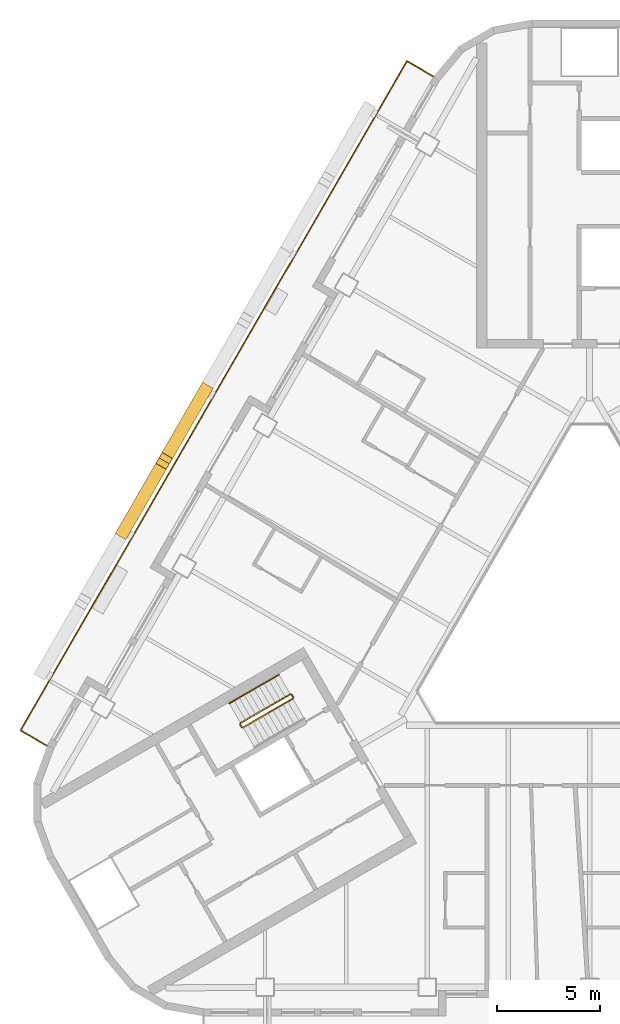
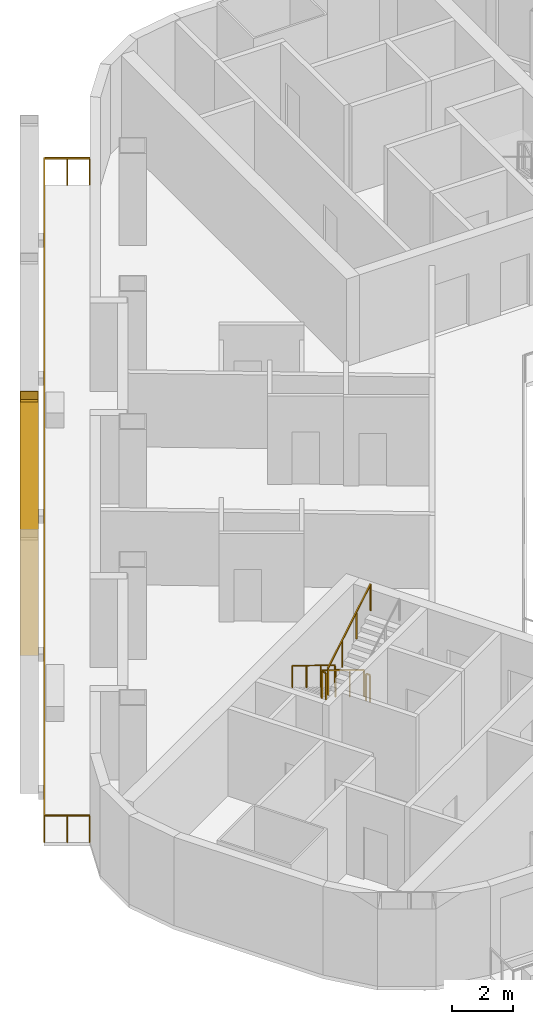
# One storey, part 9 of 13: 6 railings, 2 shading devices.
"""IFC4 building model written with IfcOpenShell, lengths in metres."""

from ifc_helpers import new_model, si_unit, direction, frame, origin, origin_2d, place, context, subcontext, project, spatial, rectangle, hollow_rectangle, circle, extrude, material, material_profile, profile_set, type_object, element, save


model = new_model("IFC4")

# Units and contexts
model_context = context("Model", 3, precision=1e-05, world=origin(), true_north=direction((0.0, 1.0)))
body_context = subcontext(model_context, "Body", "Model", "MODEL_VIEW")
ifc_project = project(units=[si_unit("LENGTHUNIT", "METRE"), si_unit("AREAUNIT", "SQUARE_METRE"), si_unit("VOLUMEUNIT", "CUBIC_METRE"), si_unit("PLANEANGLEUNIT", "RADIAN"), si_unit("MASSUNIT", "GRAM", prefix="KILO")], contexts=[model_context])

# Site, building, storey
site_placement = place(None, origin())
site = spatial("IfcSite", under=ifc_project, at=site_placement, CompositionType="ELEMENT")
building_placement = place(site_placement, origin())
building = spatial("IfcBuilding", under=site, at=building_placement, Name="Apuvela Tower Hotel", CompositionType="ELEMENT")
storey_placement = place(building_placement, frame((0.0, 0.0, 105.699951171875)))
storey = spatial("IfcBuildingStorey", under=building, at=storey_placement, Name="L24", CompositionType="ELEMENT", Elevation=105.699951171875)

# Railings
ifc_material_1 = material(Name="Steel S275 balustrade", Category="steel")
railing_type_1 = type_object("IfcRailingType", Name="COR-GUARD-1100", PredefinedType="GUARDRAIL", material=ifc_material_1)
railing_1_placement = place(storey_placement, frame((-14.569091796875, -3.9658203125, 0.168212890625)))
element("IfcRailing", 1, at=railing_1_placement, inside=storey, type_object=railing_type_1, Name="L24 ST2 stair guard 1", PredefinedType="GUARDRAIL", context=body_context, shape_type="SweptSolid", body=[
    extrude(rectangle(XDim=0.048095703125, YDim=0.048095703125, at=origin_2d()), frame((0.0, 0.0, 1.076171875), z_axis=(-0.742390482028, -0.42860119049, 0.514934356695), x_axis=(0.49998411664, -0.866034573852, 0.0)), (0.0, 0.0, 1.0), 3.26611328125),
    extrude(rectangle(XDim=0.0419921875, YDim=0.0419921875, at=origin_2d()), origin(), (0.0, 0.0, 1.0), 1.052001953125),
    extrude(rectangle(XDim=0.0419921875, YDim=0.0419921875, at=origin_2d()), frame((-0.808349609375, -0.466552734375, 0.560546875)), (0.0, 0.0, 1.0), 1.052001953125),
    extrude(rectangle(XDim=0.0419921875, YDim=0.0419921875, at=origin_2d()), frame((-1.616455078125, -0.933349609375, 1.121337890625)), (0.0, 0.0, 1.0), 1.052001953125),
    extrude(rectangle(XDim=0.0419921875, YDim=0.0419921875, at=origin_2d()), frame((-2.4248046875, -1.39990234375, 1.681884765625)), (0.0, 0.0, 1.0), 1.052001953125),
])
railing_2_placement = place(storey_placement, frame((-17.01220703125, -5.43408203125, 1.85009765625)))
element("IfcRailing", 2, at=railing_2_placement, inside=storey, type_object=railing_type_1, Name="L24 ST2 stair guard 2", PredefinedType="GUARDRAIL", context=body_context, shape_type="SweptSolid", body=[
    extrude(rectangle(XDim=0.048095703125, YDim=0.048095703125, at=origin_2d()), frame((0.0, 0.0, 1.076171875), z_axis=(0.499816412211, -0.866131372301, 0.0), x_axis=(0.866131372301, 0.499816412211, 0.0)), (0.0, 0.0, 1.0), 0.14990234375),
    extrude(rectangle(XDim=0.0419921875, YDim=0.0419921875, at=origin_2d()), origin(), (0.0, 0.0, 1.0), 1.052001953125),
    extrude(rectangle(XDim=0.0419921875, YDim=0.0419921875, at=origin_2d()), frame((0.074951171875, -0.1298828125, 0.0)), (0.0, 0.0, 1.0), 1.052001953125),
])
railing_3_placement = place(storey_placement, frame((-16.868896484375, -5.582275390625, 2.018310546875)))
element("IfcRailing", 3, at=railing_3_placement, inside=storey, type_object=railing_type_1, Name="L24 ST2 stair guard 3", PredefinedType="GUARDRAIL", context=body_context, shape_type="SweptSolid", body=[
    extrude(rectangle(XDim=0.048095703125, YDim=0.048095703125, at=origin_2d()), frame((0.0, 0.0, 1.076171875), z_axis=(0.74241905619, 0.428617687091, 0.514879426), x_axis=(-0.49998411664, 0.866034573852, 0.0)), (0.0, 0.0, 1.0), 3.26611328125),
    extrude(rectangle(XDim=0.0419921875, YDim=0.0419921875, at=origin_2d()), origin(), (0.0, 0.0, 1.0), 1.052001953125),
    extrude(rectangle(XDim=0.0419921875, YDim=0.0419921875, at=origin_2d()), frame((0.808349609375, 0.466552734375, 0.560546875)), (0.0, 0.0, 1.0), 1.052001953125),
    extrude(rectangle(XDim=0.0419921875, YDim=0.0419921875, at=origin_2d()), frame((1.616455078125, 0.933349609375, 1.12109375)), (0.0, 0.0, 1.0), 1.052001953125),
    extrude(rectangle(XDim=0.0419921875, YDim=0.0419921875, at=origin_2d()), frame((2.4248046875, 1.39990234375, 1.681640625)), (0.0, 0.0, 1.0), 1.052001953125),
])
railing_4_placement = place(storey_placement, frame((-14.500732421875, -3.984130859375, 0.0)))
element("IfcRailing", 4, at=railing_4_placement, inside=storey, type_object=railing_type_1, Name="L24 ST2 stair guard 4", PredefinedType="GUARDRAIL", context=body_context, shape_type="SweptSolid", body=[
    extrude(rectangle(XDim=0.048095703125, YDim=0.048095703125, at=origin_2d()), frame((0.0, 0.0, 1.076171875), z_axis=(0.499816412211, -0.866131372301, 0.0), x_axis=(0.866131372301, 0.499816412211, 0.0)), (0.0, 0.0, 1.0), 0.14990234375),
    extrude(rectangle(XDim=0.0419921875, YDim=0.0419921875, at=origin_2d()), origin(), (0.0, 0.0, 1.0), 1.052001953125),
    extrude(rectangle(XDim=0.0419921875, YDim=0.0419921875, at=origin_2d()), frame((0.074951171875, -0.1298828125, 0.0)), (0.0, 0.0, 1.0), 1.052001953125),
])
ifc_material_2 = material(Name="Stainless steel 316 handrail", Category="steel")
railing_type_2 = type_object("IfcRailingType", Name="COR-HANDRAIL-900", PredefinedType="HANDRAIL", material=ifc_material_2)
railing_5_placement = place(storey_placement, frame((-15.118896484375, -3.01318359375, 0.168212890625)))
element("IfcRailing", 5, at=railing_5_placement, inside=storey, type_object=railing_type_2, Name="L24 ST2 stair handrail 1", PredefinedType="HANDRAIL", context=body_context, shape_type="SweptSolid", body=[
    extrude(circle(Radius=0.02392578125, at=origin_2d()), frame((0.0, 0.0, 0.8759765625), z_axis=(-0.742424030051, -0.428577407461, 0.514905783049), x_axis=(0.49994636267, -0.866056369097, 0.0)), (0.0, 0.0, 1.0), 3.266357421875),
    extrude(rectangle(XDim=0.0419921875, YDim=0.0419921875, at=origin_2d()), origin(), (0.0, 0.0, 1.0), 0.851806640625),
    extrude(rectangle(XDim=0.0419921875, YDim=0.0419921875, at=origin_2d()), frame((-0.808349609375, -0.466552734375, 0.560546875)), (0.0, 0.0, 1.0), 0.851806640625),
    extrude(rectangle(XDim=0.0419921875, YDim=0.0419921875, at=origin_2d()), frame((-1.61669921875, -0.933349609375, 1.121337890625)), (0.0, 0.0, 1.0), 0.851806640625),
    extrude(rectangle(XDim=0.0419921875, YDim=0.0419921875, at=origin_2d()), frame((-2.425048828125, -1.39990234375, 1.681884765625)), (0.0, 0.0, 1.0), 0.851806640625),
])

# Shading devices
ifc_material_3 = material(Name="Aluminium 6063-T6, black anodised", Category="aluminium")
ifc_material_profile = material_profile(ifc_material_3, hollow_rectangle(XDim=0.60009765625, YDim=0.699951171875, WallThickness=0.011962890625, at=origin_2d()), Name="AL BOX 700x600x12")
ifc_profile_set = profile_set([ifc_material_profile], Name="Aluminium 6063-T6, black anodised")
shading_device_type = type_object("IfcShadingDeviceType", Name="ENV-FIN-700x600", PredefinedType="USERDEFINED", material=ifc_profile_set)
shading_device_1_placement = place(storey_placement, frame((-18.732177734375, 10.81494140625, -0.099853515625), z_axis=(-0.235436388043, -0.407800622186, 0.882195193667), x_axis=(0.866032218625, -0.499988196164, 0.0)))
element("IfcShadingDevice", 6, at=shading_device_1_placement, inside=storey, type_object=shading_device_type, Name="Lattice fin NW261", ObjectType="FIN", PredefinedType="USERDEFINED", context=body_context, shape_type="SweptSolid", body=[
    extrude(hollow_rectangle(XDim=0.60009765625, YDim=0.699951171875, WallThickness=0.011962890625, at=origin_2d()), origin(), (0.0, 0.0, 1.0), 8.387939453125),
])
shading_device_2_placement = place(storey_placement, frame((-22.68212890625, 3.973388671875, -0.099853515625), z_axis=(0.235461085354, 0.407822092458, 0.882178677019), x_axis=(-0.866020906874, 0.500007788796, 0.0)))
element("IfcShadingDevice", 7, at=shading_device_2_placement, inside=storey, type_object=shading_device_type, Name="Lattice fin NW262", ObjectType="FIN", PredefinedType="USERDEFINED", context=body_context, shape_type="SweptSolid", body=[
    extrude(hollow_rectangle(XDim=0.60009765625, YDim=0.699951171875, WallThickness=0.011962890625, at=origin_2d()), origin(), (0.0, 0.0, 1.0), 8.38818359375),
])

# Railing
ifc_material_4 = material(Name="Stainless steel 316 rail with laminated glass infill", Category="steel")
railing_type_3 = type_object("IfcRailingType", Name="ENV-GUARD-1100", PredefinedType="GUARDRAIL", material=ifc_material_4)
railing_6_placement = place(storey_placement, frame((-7.59228515625, 26.110107421875, 0.0)))
element("IfcRailing", 8, at=railing_6_placement, inside=storey, type_object=railing_type_3, Name="Balcony guard NW L24", PredefinedType="GUARDRAIL", context=body_context, shape_type="SweptSolid", body=[
    extrude(rectangle(XDim=0.050048828125, YDim=0.050048828125, at=origin_2d()), frame((0.0, 0.0, 1.0751953125), z_axis=(-0.86599040064, 0.500060622324, 0.0), x_axis=(-0.500060622324, -0.86599040064, 0.0)), (0.0, 0.0, 1.0), 1.499755859375),
    extrude(rectangle(XDim=0.050048828125, YDim=0.050048828125, at=origin_2d()), frame((-1.298828125, 0.75, 1.0751953125), z_axis=(-0.500000437506, -0.86602515119, 0.0), x_axis=(0.86602515119, -0.500000437506, 0.0)), (0.0, 0.0, 1.0), 37.6318359375),
    extrude(rectangle(XDim=0.050048828125, YDim=0.050048828125, at=origin_2d()), frame((-20.11474609375, -31.840087890625, 1.0751953125), z_axis=(0.866031096941, -0.499990139034, 0.0), x_axis=(0.499990139034, 0.866031096941, 0.0)), (0.0, 0.0, 1.0), 1.5),
    extrude(rectangle(XDim=0.0400390625, YDim=0.0400390625, at=origin_2d()), origin(), (0.0, 0.0, 1.0), 1.050048828125),
    extrude(rectangle(XDim=0.0400390625, YDim=0.0400390625, at=origin_2d()), frame((-0.6494140625, 0.375, 0.0)), (0.0, 0.0, 1.0), 1.050048828125),
    extrude(rectangle(XDim=0.0400390625, YDim=0.0400390625, at=origin_2d()), frame((-1.298828125, 0.75, 0.0)), (0.0, 0.0, 1.0), 1.050048828125),
    extrude(rectangle(XDim=0.0400390625, YDim=0.0400390625, at=origin_2d()), frame((-1.88671875, -0.2685546875, 0.0)), (0.0, 0.0, 1.0), 1.050048828125),
    extrude(rectangle(XDim=0.0400390625, YDim=0.0400390625, at=origin_2d()), frame((-2.474853515625, -1.286865234375, 0.0)), (0.0, 0.0, 1.0), 1.050048828125),
    extrude(rectangle(XDim=0.0400390625, YDim=0.0400390625, at=origin_2d()), frame((-3.062744140625, -2.305419921875, 0.0)), (0.0, 0.0, 1.0), 1.050048828125),
    extrude(rectangle(XDim=0.0400390625, YDim=0.0400390625, at=origin_2d()), frame((-3.65087890625, -3.32373046875, 0.0)), (0.0, 0.0, 1.0), 1.050048828125),
    extrude(rectangle(XDim=0.0400390625, YDim=0.0400390625, at=origin_2d()), frame((-4.23876953125, -4.34228515625, 0.0)), (0.0, 0.0, 1.0), 1.050048828125),
    extrude(rectangle(XDim=0.0400390625, YDim=0.0400390625, at=origin_2d()), frame((-4.826904296875, -5.360595703125, 0.0)), (0.0, 0.0, 1.0), 1.050048828125),
    extrude(rectangle(XDim=0.0400390625, YDim=0.0400390625, at=origin_2d()), frame((-5.414794921875, -6.379150390625, 0.0)), (0.0, 0.0, 1.0), 1.050048828125),
    extrude(rectangle(XDim=0.0400390625, YDim=0.0400390625, at=origin_2d()), frame((-6.0029296875, -7.3974609375, 0.0)), (0.0, 0.0, 1.0), 1.050048828125),
    extrude(rectangle(XDim=0.0400390625, YDim=0.0400390625, at=origin_2d()), frame((-6.5908203125, -8.416015625, 0.0)), (0.0, 0.0, 1.0), 1.050048828125),
    extrude(rectangle(XDim=0.0400390625, YDim=0.0400390625, at=origin_2d()), frame((-7.1787109375, -9.434326171875, 0.0)), (0.0, 0.0, 1.0), 1.050048828125),
    extrude(rectangle(XDim=0.0400390625, YDim=0.0400390625, at=origin_2d()), frame((-7.766845703125, -10.452880859375, 0.0)), (0.0, 0.0, 1.0), 1.050048828125),
    extrude(rectangle(XDim=0.0400390625, YDim=0.0400390625, at=origin_2d()), frame((-8.354736328125, -11.47119140625, 0.0)), (0.0, 0.0, 1.0), 1.050048828125),
    extrude(rectangle(XDim=0.0400390625, YDim=0.0400390625, at=origin_2d()), frame((-8.94287109375, -12.48974609375, 0.0)), (0.0, 0.0, 1.0), 1.050048828125),
    extrude(rectangle(XDim=0.0400390625, YDim=0.0400390625, at=origin_2d()), frame((-9.53076171875, -13.508056640625, 0.0)), (0.0, 0.0, 1.0), 1.050048828125),
    extrude(rectangle(XDim=0.0400390625, YDim=0.0400390625, at=origin_2d()), frame((-10.118896484375, -14.526611328125, 0.0)), (0.0, 0.0, 1.0), 1.050048828125),
    extrude(rectangle(XDim=0.0400390625, YDim=0.0400390625, at=origin_2d()), frame((-10.706787109375, -15.544921875, 0.0)), (0.0, 0.0, 1.0), 1.050048828125),
    extrude(rectangle(XDim=0.0400390625, YDim=0.0400390625, at=origin_2d()), frame((-11.294677734375, -16.5634765625, 0.0)), (0.0, 0.0, 1.0), 1.050048828125),
    extrude(rectangle(XDim=0.0400390625, YDim=0.0400390625, at=origin_2d()), frame((-11.8828125, -17.58203125, 0.0)), (0.0, 0.0, 1.0), 1.050048828125),
    extrude(rectangle(XDim=0.0400390625, YDim=0.0400390625, at=origin_2d()), frame((-12.470703125, -18.600341796875, 0.0)), (0.0, 0.0, 1.0), 1.050048828125),
    extrude(rectangle(XDim=0.0400390625, YDim=0.0400390625, at=origin_2d()), frame((-13.058837890625, -19.618896484375, 0.0)), (0.0, 0.0, 1.0), 1.050048828125),
    extrude(rectangle(XDim=0.0400390625, YDim=0.0400390625, at=origin_2d()), frame((-13.646728515625, -20.63720703125, 0.0)), (0.0, 0.0, 1.0), 1.050048828125),
    extrude(rectangle(XDim=0.0400390625, YDim=0.0400390625, at=origin_2d()), frame((-14.23486328125, -21.65576171875, 0.0)), (0.0, 0.0, 1.0), 1.050048828125),
    extrude(rectangle(XDim=0.0400390625, YDim=0.0400390625, at=origin_2d()), frame((-14.82275390625, -22.674072265625, 0.0)), (0.0, 0.0, 1.0), 1.050048828125),
    extrude(rectangle(XDim=0.0400390625, YDim=0.0400390625, at=origin_2d()), frame((-15.41064453125, -23.692626953125, 0.0)), (0.0, 0.0, 1.0), 1.050048828125),
    extrude(rectangle(XDim=0.0400390625, YDim=0.0400390625, at=origin_2d()), frame((-15.998779296875, -24.7109375, 0.0)), (0.0, 0.0, 1.0), 1.050048828125),
    extrude(rectangle(XDim=0.0400390625, YDim=0.0400390625, at=origin_2d()), frame((-16.586669921875, -25.7294921875, 0.0)), (0.0, 0.0, 1.0), 1.050048828125),
    extrude(rectangle(XDim=0.0400390625, YDim=0.0400390625, at=origin_2d()), frame((-17.1748046875, -26.747802734375, 0.0)), (0.0, 0.0, 1.0), 1.050048828125),
    extrude(rectangle(XDim=0.0400390625, YDim=0.0400390625, at=origin_2d()), frame((-17.7626953125, -27.766357421875, 0.0)), (0.0, 0.0, 1.0), 1.050048828125),
    extrude(rectangle(XDim=0.0400390625, YDim=0.0400390625, at=origin_2d()), frame((-18.350830078125, -28.78466796875, 0.0)), (0.0, 0.0, 1.0), 1.050048828125),
    extrude(rectangle(XDim=0.0400390625, YDim=0.0400390625, at=origin_2d()), frame((-18.938720703125, -29.80322265625, 0.0)), (0.0, 0.0, 1.0), 1.050048828125),
    extrude(rectangle(XDim=0.0400390625, YDim=0.0400390625, at=origin_2d()), frame((-19.52685546875, -30.821533203125, 0.0)), (0.0, 0.0, 1.0), 1.050048828125),
    extrude(rectangle(XDim=0.0400390625, YDim=0.0400390625, at=origin_2d()), frame((-20.11474609375, -31.840087890625, 0.0)), (0.0, 0.0, 1.0), 1.050048828125),
    extrude(rectangle(XDim=0.0400390625, YDim=0.0400390625, at=origin_2d()), frame((-19.46533203125, -32.215087890625, 0.0)), (0.0, 0.0, 1.0), 1.050048828125),
    extrude(rectangle(XDim=0.0400390625, YDim=0.0400390625, at=origin_2d()), frame((-18.815673828125, -32.590087890625, 0.0)), (0.0, 0.0, 1.0), 1.050048828125),
])

save(model, "model.ifc")
